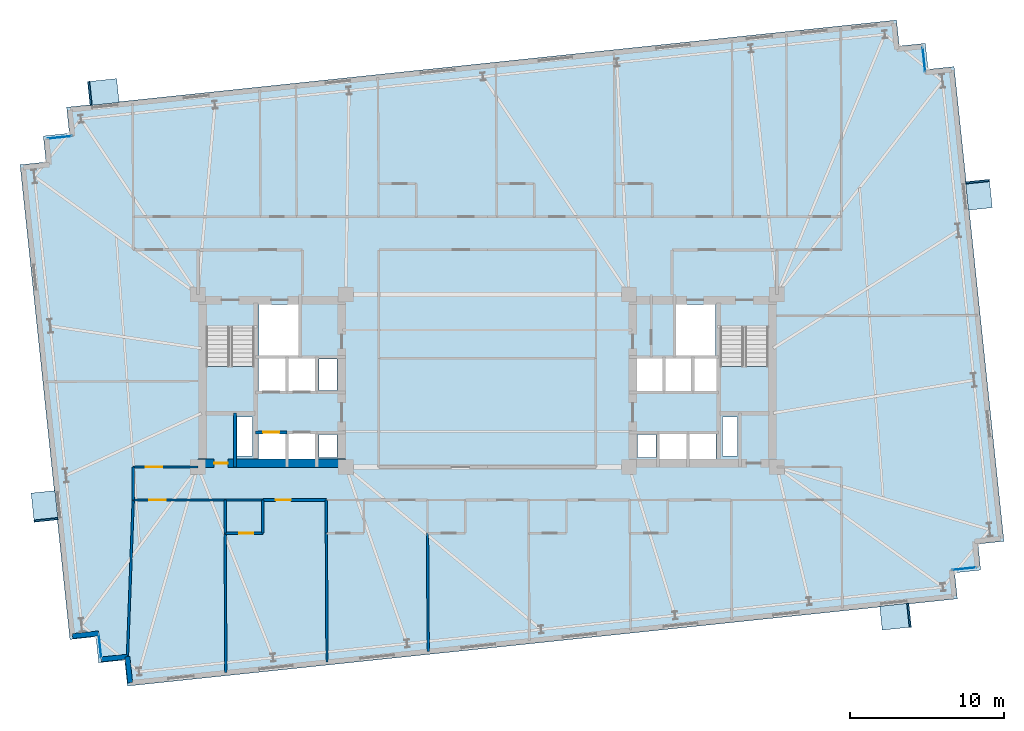
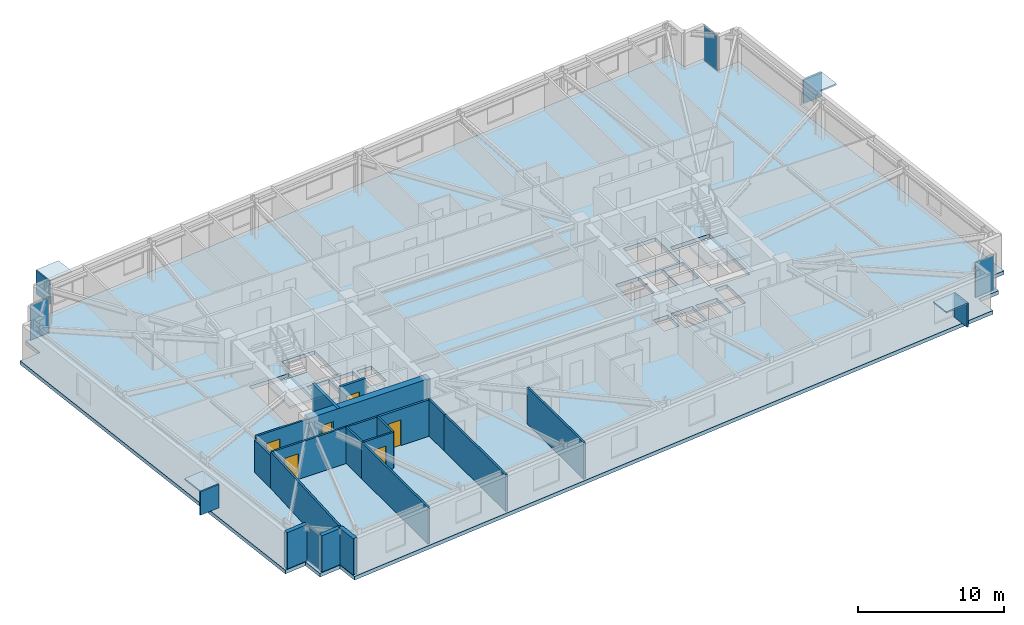
# One storey, part 11 of 18: 19 walls, 12 plates, 6 doors, 3 slabs, 6 openings, 6 elements without a shape of their own.
"""IFC4 building model written with IfcOpenShell, lengths in metres."""

from ifc_helpers import new_model, si_unit, direction, frame, frame_2d, origin, origin_2d, place, context, subcontext, project, spatial, polyline, rectangle, outline, extrude, material, layer, layer_set, type_object, element, fill, aggregate, save


model = new_model("IFC4")

# Units and contexts
model_context = context("Model", 3, precision=1e-05, world=origin(), true_north=direction((0.0, 1.0)))
body_context = subcontext(model_context, "Body", "Model", "MODEL_VIEW")
ifc_project = project(units=[si_unit("LENGTHUNIT", "METRE"), si_unit("AREAUNIT", "SQUARE_METRE"), si_unit("VOLUMEUNIT", "CUBIC_METRE"), si_unit("PLANEANGLEUNIT", "RADIAN"), si_unit("MASSUNIT", "GRAM", prefix="KILO")], contexts=[model_context])

# Site, building, storey
site_placement = place(None, origin())
site = spatial("IfcSite", under=ifc_project, at=site_placement, CompositionType="ELEMENT")
building_placement = place(site_placement, origin())
building = spatial("IfcBuilding", under=site, at=building_placement, Name="Qobustan Lattice House", CompositionType="ELEMENT")
storey_placement = place(building_placement, frame((0.0, 0.0, 119.199951171875)))
storey = spatial("IfcBuildingStorey", under=building, at=storey_placement, Name="L33", CompositionType="ELEMENT", Elevation=119.199951171875)

# Curtain wall, plate
ifc_material_1 = material(Name="Anodised aluminium and low-E glazing", Category="aluminium")
ifc_layer_1 = layer(ifc_material_1, 0.219970703125)
ifc_layer_set_1 = layer_set([ifc_layer_1], Name="Anodised aluminium and low-E glazing")
curtain_wall_type = type_object("IfcCurtainWallType", Name="CW-FAC-01", PredefinedType="USERDEFINED", material=ifc_layer_set_1)
curtain_wall_1_placement = place(storey_placement, origin())
curtain_wall_1 = element("IfcCurtainWall", 1, at=curtain_wall_1_placement, inside=storey, type_object=curtain_wall_type, Name="L33 serrated corner faceted glazing 3", ObjectType="CURTAIN WALL", PredefinedType="USERDEFINED")
ifc_material_2 = material(Name="Clear low-E laminated glass", Category="glass")
ifc_layer_2 = layer(ifc_material_2, 0.031982421875)
ifc_layer_set_2 = layer_set([ifc_layer_2], Name="Clear low-E laminated glass")
plate_type_1 = type_object("IfcPlateType", Name="CWP-VISION-32", PredefinedType="CURTAIN_PANEL", material=ifc_layer_set_2)
plate_1_placement = place(storey_placement, frame((-25.155029296875, -17.2509765625, 0.06494140625), z_axis=(0.0, 0.0, 1.0), x_axis=(-0.104528620025, 0.994521878892, 0.0)))
plate_1 = element("IfcPlate", 2, at=plate_1_placement, type_object=plate_type_1, Name="CW-F1 panel 1.1", PredefinedType="CURTAIN_PANEL", context=body_context, shape_type="SweptSolid", body=[
    extrude(rectangle(XDim=1.56005859375, YDim=0.031982421875, at=origin_2d()), origin(), (0.0, 0.0, 1.0), 2.9150390625),
])
aggregate(curtain_wall_1, [plate_1])

curtain_wall_2_placement = place(storey_placement, origin())
curtain_wall_2 = element("IfcCurtainWall", 3, at=curtain_wall_2_placement, inside=storey, type_object=curtain_wall_type, Name="L33 serrated corner faceted glazing 8", ObjectType="CURTAIN WALL", PredefinedType="USERDEFINED")
plate_2_placement = place(storey_placement, frame((-27.77490234375, 15.80615234375, 0.06494140625), z_axis=(0.0, 0.0, 1.0), x_axis=(0.994521878892, 0.104528620025, 0.0)))
plate_2 = element("IfcPlate", 4, at=plate_2_placement, type_object=plate_type_1, Name="CW-F1 panel 1.1", PredefinedType="CURTAIN_PANEL", context=body_context, shape_type="SweptSolid", body=[
    extrude(rectangle(XDim=1.56005859375, YDim=0.031982421875, at=origin_2d()), origin(), (0.0, 0.0, 1.0), 2.9150390625),
])
aggregate(curtain_wall_2, [plate_2])

curtain_wall_3_placement = place(storey_placement, origin())
curtain_wall_3 = element("IfcCurtainWall", 5, at=curtain_wall_3_placement, inside=storey, type_object=curtain_wall_type, Name="L33 serrated corner faceted glazing 13", ObjectType="CURTAIN WALL", PredefinedType="USERDEFINED")
plate_3_placement = place(storey_placement, frame((28.355224609375, 20.85107421875, 0.06494140625), z_axis=(0.0, 0.0, 1.0), x_axis=(0.104528620025, -0.994521878892, 0.0)))
plate_3 = element("IfcPlate", 6, at=plate_3_placement, type_object=plate_type_1, Name="CW-F1 panel 1.1", PredefinedType="CURTAIN_PANEL", context=body_context, shape_type="SweptSolid", body=[
    extrude(rectangle(XDim=1.56005859375, YDim=0.031982421875, at=origin_2d()), origin(), (0.0, 0.0, 1.0), 2.9150390625),
])
aggregate(curtain_wall_3, [plate_3])

curtain_wall_4_placement = place(storey_placement, origin())
curtain_wall_4 = element("IfcCurtainWall", 7, at=curtain_wall_4_placement, inside=storey, type_object=curtain_wall_type, Name="L33 serrated corner faceted glazing 18", ObjectType="CURTAIN WALL", PredefinedType="USERDEFINED")
plate_4_placement = place(storey_placement, frame((30.974853515625, -12.206298828125, 0.06494140625), z_axis=(0.0, 0.0, 1.0), x_axis=(-0.994521878892, -0.104528620025, 0.0)))
plate_4 = element("IfcPlate", 8, at=plate_4_placement, type_object=plate_type_1, Name="CW-F1 panel 1.1", PredefinedType="CURTAIN_PANEL", context=body_context, shape_type="SweptSolid", body=[
    extrude(rectangle(XDim=1.56005859375, YDim=0.031982421875, at=origin_2d()), origin(), (0.0, 0.0, 1.0), 2.9150390625),
])
aggregate(curtain_wall_4, [plate_4])

# Plates
ifc_material_3 = material(Name="Qobustan limestone GFRC", Category="masonry")
ifc_layer_3 = layer(ifc_material_3, 0.1201171875)
ifc_layer_set_3 = layer_set([ifc_layer_3], Name="Qobustan limestone GFRC")
plate_type_2 = type_object("IfcPlateType", Name="SHD-HOOD-BROW", PredefinedType="USERDEFINED", material=ifc_layer_set_3)
plate_5_placement = place(storey_placement, frame((-28.755615234375, -8.156494140625, 2.699951171875), z_axis=(0.0, 0.0, 1.0), x_axis=(-0.104528463268, 0.994521895368, 0.0)))
element("IfcPlate", 9, at=plate_5_placement, inside=storey, type_object=plate_type_2, Name="L33 splayed Qobustan stone hood brow", ObjectType="SUNSHADE", PredefinedType="USERDEFINED", context=body_context, shape_type="SweptSolid", body=[
    extrude(rectangle(XDim=1.889892578125, YDim=1.56005859375, at=origin_2d()), origin(), (0.0, 0.0, 1.0), 0.1201171875),
])
plate_6_placement = place(storey_placement, frame((-28.6630859375, -9.03662109375, 0.7900390625), z_axis=(0.0, 0.0, 1.0), x_axis=(-0.104528463268, 0.994521895368, 0.0)))
element("IfcPlate", 10, at=plate_6_placement, inside=storey, type_object=plate_type_2, Name="L33 splayed Qobustan stone hood cheek", ObjectType="SUNSHADE", PredefinedType="USERDEFINED", context=body_context, shape_type="SweptSolid", body=[
    extrude(rectangle(XDim=0.1201171875, YDim=1.56005859375, at=origin_2d()), origin(), (0.0, 0.0, 1.0), 1.969970703125),
])
plate_7_placement = place(storey_placement, frame((-24.935302734375, 18.7490234375, 2.699951171875), z_axis=(0.0, 0.0, 1.0), x_axis=(0.994521895368, 0.104528463268, 0.0)))
element("IfcPlate", 11, at=plate_7_placement, inside=storey, type_object=plate_type_2, Name="L33 splayed Qobustan stone hood brow", ObjectType="SUNSHADE", PredefinedType="USERDEFINED", context=body_context, shape_type="SweptSolid", body=[
    extrude(rectangle(XDim=1.889892578125, YDim=1.56005859375, at=origin_2d()), origin(), (0.0, 0.0, 1.0), 0.1201171875),
])
plate_8_placement = place(storey_placement, frame((-25.8154296875, 18.656494140625, 0.7900390625), z_axis=(0.0, 0.0, 1.0), x_axis=(0.994521895368, 0.104528463268, 0.0)))
element("IfcPlate", 12, at=plate_8_placement, inside=storey, type_object=plate_type_2, Name="L33 splayed Qobustan stone hood cheek", ObjectType="SUNSHADE", PredefinedType="USERDEFINED", context=body_context, shape_type="SweptSolid", body=[
    extrude(rectangle(XDim=0.1201171875, YDim=1.56005859375, at=origin_2d()), origin(), (0.0, 0.0, 1.0), 1.969970703125),
])
plate_9_placement = place(storey_placement, frame((31.922119140625, 12.074951171875, 2.699951171875), z_axis=(0.0, 0.0, 1.0), x_axis=(0.104528463268, -0.994521895368, 0.0)))
element("IfcPlate", 13, at=plate_9_placement, inside=storey, type_object=plate_type_2, Name="L33 splayed Qobustan stone hood brow", ObjectType="SUNSHADE", PredefinedType="USERDEFINED", context=body_context, shape_type="SweptSolid", body=[
    extrude(rectangle(XDim=1.840087890625, YDim=1.56005859375, at=origin_2d()), origin(), (0.0, 0.0, 1.0), 0.1201171875),
])
plate_10_placement = place(storey_placement, frame((31.832275390625, 12.930419921875, 0.7900390625), z_axis=(0.0, 0.0, 1.0), x_axis=(0.104528463268, -0.994521895368, 0.0)))
element("IfcPlate", 14, at=plate_10_placement, inside=storey, type_object=plate_type_2, Name="L33 splayed Qobustan stone hood cheek", ObjectType="SUNSHADE", PredefinedType="USERDEFINED", context=body_context, shape_type="SweptSolid", body=[
    extrude(rectangle(XDim=0.1201171875, YDim=1.56005859375, at=origin_2d()), origin(), (0.0, 0.0, 1.0), 1.969970703125),
])
plate_11_placement = place(storey_placement, frame((26.503173828125, -15.32080078125, 2.699951171875), z_axis=(0.0, 0.0, 1.0), x_axis=(-0.994521895368, -0.104528463268, 0.0)))
element("IfcPlate", 15, at=plate_11_placement, inside=storey, type_object=plate_type_2, Name="L33 splayed Qobustan stone hood brow", ObjectType="SUNSHADE", PredefinedType="USERDEFINED", context=body_context, shape_type="SweptSolid", body=[
    extrude(rectangle(XDim=1.889892578125, YDim=1.56005859375, at=origin_2d()), origin(), (0.0, 0.0, 1.0), 0.1201171875),
])
plate_12_placement = place(storey_placement, frame((27.38330078125, -15.228271484375, 0.7900390625), z_axis=(0.0, 0.0, 1.0), x_axis=(-0.994521895368, -0.104528463268, 0.0)))
element("IfcPlate", 16, at=plate_12_placement, inside=storey, type_object=plate_type_2, Name="L33 splayed Qobustan stone hood cheek", ObjectType="SUNSHADE", PredefinedType="USERDEFINED", context=body_context, shape_type="SweptSolid", body=[
    extrude(rectangle(XDim=0.1201171875, YDim=1.56005859375, at=origin_2d()), origin(), (0.0, 0.0, 1.0), 1.969970703125),
])

# Slab
ifc_material_4 = material(Name="Concrete C40/50", Category="concrete")
ifc_layer_4 = layer(ifc_material_4, 0.304931640625)
ifc_layer_set_4 = layer_set([ifc_layer_4], Name="Concrete C40/50")
slab_type_1 = type_object("IfcSlabType", Name="SLB-FLR-305", PredefinedType="FLOOR", material=ifc_layer_set_4)
slab_1_placement = place(storey_placement, frame((0.0, 0.0, -0.304931640625)))
element("IfcSlab", 17, at=slab_1_placement, inside=storey, type_object=slab_type_1, Name="L33 structural floor slab", PredefinedType="FLOOR", context=body_context, shape_type="SweptSolid", body=[
    extrude(outline(polyline([(-23.3759765625, -19.8291015625), (30.527099609375, -14.163818359375), (30.349365234375, -12.47314453125), (32.0400390625, -12.29541015625), (31.8623046875, -10.604736328125), (33.552978515625, -10.427001953125), (30.312744140625, 20.4033203125), (28.6220703125, 20.2255859375), (28.4443359375, 21.916259765625), (26.753662109375, 21.738525390625), (26.575927734375, 23.42919921875), (-27.3271484375, 17.763671875), (-27.1494140625, 16.072998046875), (-28.840087890625, 15.8955078125), (-28.662353515625, 14.20458984375), (-30.35302734375, 14.027099609375), (-27.11279296875, -16.80322265625), (-25.422119140625, -16.62548828125), (-25.244384765625, -18.316162109375), (-23.5537109375, -18.138427734375), (-23.3759765625, -19.8291015625)]), holes=[polyline([(-18.25, -2.050048828125), (-18.25, 3.489990234375), (-15.1298828125, 3.489990234375), (-15.1298828125, -2.050048828125), (-18.25, -2.050048828125)]), polyline([(15.1298828125, -2.050048828125), (15.1298828125, 3.489990234375), (18.25, 3.489990234375), (18.25, -2.050048828125), (15.1298828125, -2.050048828125)]), polyline([(-14.820068359375, 1.64990234375), (-14.820068359375, 4.9599609375), (-12.25, 4.9599609375), (-12.25, 1.64990234375), (-14.820068359375, 1.64990234375)]), polyline([(12.25, 1.64990234375), (12.25, 4.9599609375), (14.820068359375, 4.9599609375), (14.820068359375, 1.64990234375), (12.25, 1.64990234375)]), polyline([(-16.260009765625, -4.8798828125), (-16.260009765625, -2.360107421875), (-15.260009765625, -2.360107421875), (-15.260009765625, -4.8798828125), (-16.260009765625, -4.8798828125)]), polyline([(15.260009765625, -4.8798828125), (15.260009765625, -2.360107421875), (16.260009765625, -2.360107421875), (16.260009765625, -4.8798828125), (15.260009765625, -4.8798828125)]), polyline([(-14.85009765625, -5.35009765625), (-14.85009765625, -3.419921875), (-13.1201171875, -3.419921875), (-13.1201171875, -5.35009765625), (-14.85009765625, -5.35009765625)]), polyline([(-12.919921875, -5.35009765625), (-12.919921875, -3.419921875), (-11.179931640625, -3.419921875), (-11.179931640625, -5.35009765625), (-12.919921875, -5.35009765625)]), polyline([(-14.85009765625, -0.679931640625), (-14.85009765625, 1.47998046875), (-13.1201171875, 1.47998046875), (-13.1201171875, -0.679931640625), (-14.85009765625, -0.679931640625)]), polyline([(-12.919921875, -0.679931640625), (-12.919921875, 1.47998046875), (-11.179931640625, 1.47998046875), (-11.179931640625, -0.679931640625), (-12.919921875, -0.679931640625)]), polyline([(-10.93994140625, -5.0), (-10.93994140625, -3.47998046875), (-9.760009765625, -3.47998046875), (-9.760009765625, -5.0), (-10.93994140625, -5.0)]), polyline([(-10.93994140625, -0.6201171875), (-10.93994140625, 1.419921875), (-9.760009765625, 1.419921875), (-9.760009765625, -0.6201171875), (-10.93994140625, -0.6201171875)]), polyline([(11.179931640625, -5.35009765625), (11.179931640625, -3.419921875), (12.919921875, -3.419921875), (12.919921875, -5.35009765625), (11.179931640625, -5.35009765625)]), polyline([(13.1201171875, -5.35009765625), (13.1201171875, -3.419921875), (14.85009765625, -3.419921875), (14.85009765625, -5.35009765625), (13.1201171875, -5.35009765625)]), polyline([(9.760009765625, -5.0), (9.760009765625, -3.47998046875), (10.93994140625, -3.47998046875), (10.93994140625, -5.0), (9.760009765625, -5.0)]), polyline([(13.360107421875, -0.679931640625), (13.360107421875, 1.47998046875), (14.97998046875, 1.47998046875), (14.97998046875, -0.679931640625), (13.360107421875, -0.679931640625)]), polyline([(9.6201171875, -0.679931640625), (9.6201171875, 1.47998046875), (11.43994140625, 1.47998046875), (11.43994140625, -0.679931640625), (9.6201171875, -0.679931640625)]), polyline([(11.5, -0.679931640625), (11.5, 1.47998046875), (13.320068359375, 1.47998046875), (13.320068359375, -0.679931640625), (11.5, -0.679931640625)])]), origin(), (0.0, 0.0, 1.0), 0.304931640625),
])

# Stair, slab
ifc_material_5 = material(Name="Concrete C40/50", Category="concrete")
stair_type = type_object("IfcStairType", Name="STR-CORE-DOGLEG", PredefinedType="HALF_TURN_STAIR", material=ifc_material_5)
stair_1_placement = place(storey_placement, origin())
stair_1 = element("IfcStair", 18, at=stair_1_placement, inside=storey, type_object=stair_type, Name="L33 West protected exit stair ST-W1", PredefinedType="HALF_TURN_STAIR")
ifc_material_6 = material(Name="Concrete C40/50", Category="concrete")
ifc_layer_5 = layer(ifc_material_6, 0.199951171875)
ifc_layer_set_5 = layer_set([ifc_layer_5], Name="Concrete C40/50")
slab_type_2 = type_object("IfcSlabType", Name="SLB-LANDING-200", PredefinedType="LANDING", material=ifc_layer_set_5)
slab_2_placement = place(storey_placement, frame((0.0, 0.0, 1.47509765625)))
slab_2 = element("IfcSlab", 19, at=slab_2_placement, type_object=slab_type_2, Name="ST-W1 landing 1", PredefinedType="LANDING", context=body_context, shape_type="SweptSolid", body=[
    extrude(outline(polyline([(-18.25, 0.93505859375), (-18.25, -2.050048828125), (-15.1298828125, -2.050048828125), (-15.1298828125, 0.93505859375), (-18.25, 0.93505859375)])), origin(), (0.0, 0.0, 1.0), 0.199951171875),
])
aggregate(stair_1, [slab_2])

stair_2_placement = place(storey_placement, origin())
stair_2 = element("IfcStair", 20, at=stair_2_placement, inside=storey, type_object=stair_type, Name="L33 East protected exit stair ST-E1", PredefinedType="HALF_TURN_STAIR")
slab_3_placement = place(storey_placement, frame((0.0, 0.0, 1.47509765625)))
slab_3 = element("IfcSlab", 21, at=slab_3_placement, type_object=slab_type_2, Name="ST-E1 landing 1", PredefinedType="LANDING", context=body_context, shape_type="SweptSolid", body=[
    extrude(outline(polyline([(15.1298828125, 0.93505859375), (15.1298828125, -2.050048828125), (18.25, -2.050048828125), (18.25, 0.93505859375), (15.1298828125, 0.93505859375)])), origin(), (0.0, 0.0, 1.0), 0.199951171875),
])
aggregate(stair_2, [slab_3])

# Wall, opening, door
ifc_material_7 = material(Name="Concrete C60/75", Category="concrete")
ifc_layer_6 = layer(ifc_material_7, 0.56005859375)
ifc_layer_set_6 = layer_set([ifc_layer_6], Name="Concrete C60/75")
wall_type_1 = type_object("IfcWallType", Name="WAL-CORE-600", PredefinedType="SHEAR", material=ifc_layer_set_6)
wall_1_placement = place(storey_placement, frame((-18.800048828125, -5.35009765625, 0.0), z_axis=(0.0, 0.0, 1.0), x_axis=(1.0, 0.0, 0.0)))
wall_1 = element("IfcWall", 22, at=wall_1_placement, inside=storey, type_object=wall_type_1, Name="L33 split-core shear wall CW-S", PredefinedType="SHEAR", context=body_context, shape_type="SweptSolid", body=[
    extrude(rectangle(XDim=9.60009765625, YDim=0.56005859375, at=frame_2d((4.800048828125, 0.0))), origin(), (0.0, 0.0, 1.0), 3.045166015625),
])
opening_1_placement = place(wall_1_placement, frame((1.050048828125, 0.0, 0.0)))
opening_1 = element("IfcOpeningElement", 23, at=opening_1_placement, cuts=wall_1, Name="Opening RD-01", PredefinedType="OPENING", context=body_context, shape_type="SweptSolid", body=[
    extrude(rectangle(XDim=0.89990234375, YDim=2.10009765625, at=frame_2d((0.449951171875, 1.050048828125))), frame((0.0, 0.2900390625, 0.0), z_axis=(0.0, -1.0, 0.0), x_axis=(1.0, 0.0, 0.0)), (0.0, 0.0, 1.0), 0.580078125),
])
ifc_material_8 = material(Name="Persian walnut timber and steel frame door", Category="steel")
door_type_1 = type_object("IfcDoorType", Name="DOR-RISER-FD-900x2100", OperationType="NOTDEFINED", PredefinedType="DOOR", material=ifc_material_8)
door_1_placement = place(opening_1_placement, origin())
door_1 = element("IfcDoor", 24, at=door_1_placement, inside=storey, type_object=door_type_1, Name="L33 core service riser access door W", OperationType="SINGLE_SWING_RIGHT", OverallHeight=2.10009765625, OverallWidth=0.89990234375, PredefinedType="DOOR", context=body_context, shape_type="SweptSolid", body=[
    extrude(rectangle(XDim=0.89990234375, YDim=2.10009765625, at=frame_2d((0.449951171875, 1.050048828125))), frame((0.0, 0.02490234375, 0.0), z_axis=(0.0, -1.0, 0.0), x_axis=(1.0, 0.0, 0.0)), (0.0, 0.0, 1.0), 0.050048828125),
])
fill(opening_1, door_1)

# Walls
ifc_material_9 = material(Name="Precast concrete C40/50", Category="concrete")
ifc_layer_7 = layer(ifc_material_9, 0.320068359375)
ifc_layer_set_7 = layer_set([ifc_layer_7], Name="Precast concrete C40/50")
wall_type_2 = type_object("IfcWallType", Name="WAL-EXT-STONE-320", PredefinedType="SOLIDWALL", material=ifc_layer_set_7)
for number, where, z_axis, x_axis, name in (
    (25, (-23.197998046875, -19.609375, 0.0), (0.0, 0.0, 1.0), (-0.104550220202, 0.994519608382, 0.0), "L33 exterior limestone-clad wall 1"),
    (26, (-23.375732421875, -17.918701171875, 0.0), (0.0, 0.0, 1.0), (-0.994519608382, -0.104550220202, 0.0), "L33 exterior limestone-clad wall 2"),
):
    element("IfcWall", number, at=place(storey_placement, frame(where, z_axis=z_axis, x_axis=x_axis)), inside=storey, type_object=wall_type_2, Name=name, PredefinedType="SOLIDWALL", context=body_context, shape_type="SweptSolid", body=[
        extrude(rectangle(XDim=1.699951171875, YDim=0.320068359375, at=frame_2d((0.85009765625, 0.0))), origin(), (0.0, 0.0, 1.0), 3.045166015625),
    ])
wall_2_placement = place(storey_placement, frame((-25.243896484375, -16.40576171875, 0.0), z_axis=(0.0, 0.0, 1.0), x_axis=(-0.994521177842, -0.104535289845, 0.0)))
element("IfcWall", 27, at=wall_2_placement, inside=storey, type_object=wall_type_2, Name="L33 exterior limestone-clad wall 4", PredefinedType="SOLIDWALL", context=body_context, shape_type="SweptSolid", body=[
    extrude(rectangle(XDim=1.7001953125, YDim=0.320068359375, at=frame_2d((0.85009765625, 0.0))), origin(), (0.0, 0.0, 1.0), 3.045166015625),
])

# Wall, opening, door
ifc_material_10 = material(Name="Gypsum fireboard acoustic partition", Category="gypsum")
ifc_layer_8 = layer(ifc_material_10, 0.179931640625)
ifc_layer_set_8 = layer_set([ifc_layer_8], Name="Gypsum fireboard acoustic partition")
wall_type_3 = type_object("IfcWallType", Name="WAL-FIRE-180", PredefinedType="PARTITIONING", material=ifc_layer_set_8)
wall_3_placement = place(storey_placement, frame((-10.45703125, -7.75, 0.0), z_axis=(0.0, 0.0, 1.0), x_axis=(-1.0, 0.0, 0.0)))
wall_3 = element("IfcWall", 28, at=wall_3_placement, inside=storey, type_object=wall_type_3, Name="L33 interior partition 57", PredefinedType="PARTITIONING", context=body_context, shape_type="SweptSolid", body=[
    extrude(rectangle(XDim=4.1220703125, YDim=0.179931640625, at=frame_2d((2.06103515625, 0.0))), origin(), (0.0, 0.0, 1.0), 3.045166015625),
])
opening_2_placement = place(wall_3_placement, frame((2.296630859375, 0.0, 0.0)))
opening_2 = element("IfcOpeningElement", 29, at=opening_2_placement, cuts=wall_3, Name="Opening FD-02", PredefinedType="OPENING", context=body_context, shape_type="SweptSolid", body=[
    extrude(rectangle(XDim=1.0, YDim=2.14990234375, at=frame_2d((0.5, 1.074951171875))), frame((0.0, 0.099853515625, 0.0), z_axis=(0.0, -1.0, 0.0), x_axis=(1.0, 0.0, 0.0)), (0.0, 0.0, 1.0), 0.199951171875),
])
ifc_material_11 = material(Name="Persian walnut timber and steel frame door", Category="steel")
door_type_2 = type_object("IfcDoorType", Name="DOR-UNIT-FD-1000x2150", OperationType="NOTDEFINED", PredefinedType="DOOR", material=ifc_material_11)
door_2_placement = place(opening_2_placement, origin())
door_2 = element("IfcDoor", 30, at=door_2_placement, inside=storey, type_object=door_type_2, Name="L33 South-west floor corridor to Kitchenette and studio apartment L33-S2 door", OperationType="SINGLE_SWING_RIGHT", OverallHeight=2.14990234375, OverallWidth=1.0, PredefinedType="DOOR", context=body_context, shape_type="SweptSolid", body=[
    extrude(rectangle(XDim=1.0, YDim=2.14990234375, at=frame_2d((0.5, 1.074951171875))), frame((0.0, 0.02490234375, 0.0), z_axis=(0.0, -1.0, 0.0), x_axis=(1.0, 0.0, 0.0)), (0.0, 0.0, 1.0), 0.050048828125),
])
fill(opening_2, door_2)

ifc_material_12 = material(Name="Acoustic twin-stud gypsum partition", Category="gypsum")
ifc_layer_9 = layer(ifc_material_12, 0.14990234375)
ifc_layer_set_9 = layer_set([ifc_layer_9], Name="Acoustic twin-stud gypsum partition")
wall_type_4 = type_object("IfcWallType", Name="WAL-PART-150", PredefinedType="PARTITIONING", material=ifc_layer_set_9)
wall_4_placement = place(storey_placement, frame((-23.0, -5.60009765625, 0.0), z_axis=(0.0, 0.0, 1.0), x_axis=(1.0, 0.0, 0.0)))
wall_4 = element("IfcWall", 31, at=wall_4_placement, inside=storey, type_object=wall_type_4, Name="L33 interior partition 54", PredefinedType="PARTITIONING", context=body_context, shape_type="SweptSolid", body=[
    extrude(rectangle(XDim=4.199951171875, YDim=0.14990234375, at=frame_2d((2.10009765625, 0.0))), origin(), (0.0, 0.0, 1.0), 3.045166015625),
])
opening_3_placement = place(wall_4_placement, frame((0.82861328125, 0.0, 0.0)))
opening_3 = element("IfcOpeningElement", 32, at=opening_3_placement, cuts=wall_4, Name="Opening ID-02", PredefinedType="OPENING", context=body_context, shape_type="SweptSolid", body=[
    extrude(rectangle(XDim=1.050048828125, YDim=2.14990234375, at=frame_2d((0.52490234375, 1.074951171875))), frame((0.0, 0.0849609375, 0.0), z_axis=(0.0, -1.0, 0.0), x_axis=(1.0, 0.0, 0.0)), (0.0, 0.0, 1.0), 0.169921875),
])
ifc_material_13 = material(Name="Persian walnut timber and steel frame door", Category="steel")
door_type_3 = type_object("IfcDoorType", Name="DOR-STUDY-1050x2150", OperationType="NOTDEFINED", PredefinedType="DOOR", material=ifc_material_13)
door_3_placement = place(opening_3_placement, origin())
door_3 = element("IfcDoor", 33, at=door_3_placement, inside=storey, type_object=door_type_3, Name="L33 South-west floor corridor to Fellows reading room door", OperationType="SINGLE_SWING_RIGHT", OverallHeight=2.14990234375, OverallWidth=1.050048828125, PredefinedType="DOOR", context=body_context, shape_type="SweptSolid", body=[
    extrude(rectangle(XDim=1.050048828125, YDim=2.14990234375, at=frame_2d((0.52490234375, 1.074951171875))), frame((0.0, 0.02490234375, 0.0), z_axis=(0.0, -1.0, 0.0), x_axis=(1.0, 0.0, 0.0)), (0.0, 0.0, 1.0), 0.050048828125),
])
fill(opening_3, door_3)

# Wall
wall_5_placement = place(storey_placement, frame((-23.0, -7.75, 0.0), z_axis=(0.0, 0.0, 1.0), x_axis=(0.0, 1.0, 0.0)))
element("IfcWall", 34, at=wall_5_placement, inside=storey, type_object=wall_type_4, Name="L33 interior partition 55", PredefinedType="PARTITIONING", context=body_context, shape_type="SweptSolid", body=[
    extrude(rectangle(XDim=2.14990234375, YDim=0.14990234375, at=frame_2d((1.074951171875, 0.0))), origin(), (0.0, 0.0, 1.0), 2.699951171875),
])

# Wall, opening, door
wall_6_placement = place(storey_placement, frame((-17.029052734375, -7.75, 0.0), z_axis=(0.0, 0.0, 1.0), x_axis=(-1.0, 0.0, 0.0)))
wall_6 = element("IfcWall", 35, at=wall_6_placement, inside=storey, type_object=wall_type_4, Name="L33 interior partition 56", PredefinedType="PARTITIONING", context=body_context, shape_type="SweptSolid", body=[
    extrude(rectangle(XDim=5.970947265625, YDim=0.14990234375, at=frame_2d((2.9853515625, 0.0))), origin(), (0.0, 0.0, 1.0), 3.045166015625),
])
opening_4_placement = place(wall_6_placement, frame((3.870849609375, 0.0, 0.0)))
opening_4 = element("IfcOpeningElement", 36, at=opening_4_placement, cuts=wall_6, Name="Opening ID-02", PredefinedType="OPENING", context=body_context, shape_type="SweptSolid", body=[
    extrude(rectangle(XDim=1.050048828125, YDim=2.14990234375, at=frame_2d((0.52490234375, 1.074951171875))), frame((0.0, 0.0849609375, 0.0), z_axis=(0.0, -1.0, 0.0), x_axis=(1.0, 0.0, 0.0)), (0.0, 0.0, 1.0), 0.169921875),
])
door_4_placement = place(opening_4_placement, origin())
door_4 = element("IfcDoor", 37, at=door_4_placement, inside=storey, type_object=door_type_3, Name="L33 South-west floor corridor to Focus study room S1 door", OperationType="SINGLE_SWING_LEFT", OverallHeight=2.14990234375, OverallWidth=1.050048828125, PredefinedType="DOOR", context=body_context, shape_type="SweptSolid", body=[
    extrude(rectangle(XDim=1.050048828125, YDim=2.14990234375, at=frame_2d((0.52490234375, 1.074951171875))), frame((0.0, 0.02490234375, 0.0), z_axis=(0.0, -1.0, 0.0), x_axis=(1.0, 0.0, 0.0)), (0.0, 0.0, 1.0), 0.050048828125),
])
fill(opening_4, door_4)

# Walls
wall_7_placement = place(storey_placement, frame((-23.0, -7.75, 0.0), z_axis=(0.0, 0.0, 1.0), x_axis=(-0.036924695214, -0.999318050914, 0.0)))
element("IfcWall", 38, at=wall_7_placement, inside=storey, type_object=wall_type_4, Name="L33 interior partition 78", PredefinedType="PARTITIONING", context=body_context, shape_type="SweptSolid", body=[
    extrude(rectangle(XDim=10.175537109375, YDim=0.14990234375, at=frame_2d((5.087890625, 0.0))), origin(), (0.0, 0.0, 1.0), 3.045166015625),
])
wall_8_placement = place(storey_placement, frame((-17.029052734375, -9.89990234375, 0.0), z_axis=(0.0, 0.0, 1.0), x_axis=(0.004852348859, -0.999988227286, 0.0)))
element("IfcWall", 39, at=wall_8_placement, inside=storey, type_object=wall_type_4, Name="L33 interior partition 99", PredefinedType="PARTITIONING", context=body_context, shape_type="SweptSolid", body=[
    extrude(rectangle(XDim=9.056396484375, YDim=0.14990234375, at=frame_2d((4.5283203125, 0.0))), origin(), (0.0, 0.0, 1.0), 3.045166015625),
])
wall_9_placement = place(storey_placement, frame((-10.45703125, -9.89990234375, 0.0), z_axis=(0.0, 0.0, 1.0), x_axis=(0.005252948012, -0.999986203173, 0.0)))
element("IfcWall", 40, at=wall_9_placement, inside=storey, type_object=wall_type_4, Name="L33 interior partition 103", PredefinedType="PARTITIONING", context=body_context, shape_type="SweptSolid", body=[
    extrude(rectangle(XDim=8.36572265625, YDim=0.14990234375, at=frame_2d((4.182861328125, 0.0))), origin(), (0.0, 0.0, 1.0), 3.045166015625),
])
wall_10_placement = place(storey_placement, frame((-3.885986328125, -9.89990234375, 0.0), z_axis=(0.0, 0.0, 1.0), x_axis=(0.005725643334, -0.99998360837, 0.0)))
element("IfcWall", 41, at=wall_10_placement, inside=storey, type_object=wall_type_4, Name="L33 interior partition 107", PredefinedType="PARTITIONING", context=body_context, shape_type="SweptSolid", body=[
    extrude(rectangle(XDim=7.67529296875, YDim=0.14990234375, at=frame_2d((3.837646484375, 0.0))), origin(), (0.0, 0.0, 1.0), 3.045166015625),
])
ifc_material_14 = material(Name="Concrete C40/50", Category="concrete")
ifc_layer_10 = layer(ifc_material_14, 0.199951171875)
ifc_layer_set_10 = layer_set([ifc_layer_10], Name="Concrete C40/50")
wall_type_5 = type_object("IfcWallType", Name="WAL-SHAFT-200", PredefinedType="PARTITIONING", material=ifc_layer_set_10)
wall_11_placement = place(storey_placement, frame((-16.39990234375, -5.60009765625, 0.0), z_axis=(0.0, 0.0, 1.0), x_axis=(0.0, 1.0, 0.0)))
element("IfcWall", 42, at=wall_11_placement, inside=storey, type_object=wall_type_5, Name="L33 interior partition 1", PredefinedType="PARTITIONING", context=body_context, shape_type="SweptSolid", body=[
    extrude(rectangle(XDim=3.489990234375, YDim=0.199951171875, at=frame_2d((1.7451171875, 0.0))), origin(), (0.0, 0.0, 1.0), 3.045166015625),
])

# Wall, opening, door
wall_12_placement = place(storey_placement, frame((-15.050048828125, -3.35009765625, 0.0), z_axis=(0.0, 0.0, 1.0), x_axis=(1.0, 0.0, 0.0)))
wall_12 = element("IfcWall", 43, at=wall_12_placement, inside=storey, type_object=wall_type_5, Name="L33 interior partition 7", PredefinedType="PARTITIONING", context=body_context, shape_type="SweptSolid", body=[
    extrude(rectangle(XDim=2.030029296875, YDim=0.199951171875, at=frame_2d((1.01513671875, 0.0))), origin(), (0.0, 0.0, 1.0), 3.045166015625),
])
opening_5_placement = place(wall_12_placement, frame((0.489990234375, 0.0, 0.0)))
opening_5 = element("IfcOpeningElement", 44, at=opening_5_placement, cuts=wall_12, Name="Opening LD-01", PredefinedType="OPENING", context=body_context, shape_type="SweptSolid", body=[
    extrude(rectangle(XDim=1.050048828125, YDim=2.10009765625, at=frame_2d((0.52490234375, 1.050048828125))), frame((0.0, 0.10986328125, 0.0), z_axis=(0.0, -1.0, 0.0), x_axis=(1.0, 0.0, 0.0)), (0.0, 0.0, 1.0), 0.219970703125),
])
ifc_material_15 = material(Name="Persian walnut timber and steel frame door", Category="steel")
door_type_4 = type_object("IfcDoorType", Name="DOR-LIFT-LD-1050x2100", OperationType="NOTDEFINED", PredefinedType="DOOR", material=ifc_material_15)
door_5_placement = place(opening_5_placement, origin())
door_5 = element("IfcDoor", 45, at=door_5_placement, inside=storey, type_object=door_type_4, Name="L33 lift landing door", OperationType="DOUBLE_DOOR_SLIDING", OverallHeight=2.10009765625, OverallWidth=1.050048828125, PredefinedType="DOOR", context=body_context, shape_type="SweptSolid", body=[
    extrude(rectangle(XDim=1.050048828125, YDim=2.10009765625, at=frame_2d((0.52490234375, 1.050048828125))), frame((0.0, 0.02490234375, 0.0), z_axis=(0.0, -1.0, 0.0), x_axis=(1.0, 0.0, 0.0)), (0.0, 0.0, 1.0), 0.050048828125),
])
fill(opening_5, door_5)

# Walls
ifc_material_16 = material(Name="Moisture-resistant acoustic plumbing wall", Category="gypsum")
ifc_layer_11 = layer(ifc_material_16, 0.14990234375)
ifc_layer_set_11 = layer_set([ifc_layer_11], Name="Moisture-resistant acoustic plumbing wall")
wall_type_6 = type_object("IfcWallType", Name="WAL-WET-150", PredefinedType="PLUMBINGWALL", material=ifc_layer_set_11)
wall_13_placement = place(storey_placement, frame((-14.5791015625, -7.75, 0.0), z_axis=(0.0, 0.0, 1.0), x_axis=(-1.0, 0.0, 0.0)))
element("IfcWall", 46, at=wall_13_placement, inside=storey, type_object=wall_type_6, Name="L33 interior partition 58", PredefinedType="PLUMBINGWALL", context=body_context, shape_type="SweptSolid", body=[
    extrude(rectangle(XDim=2.449951171875, YDim=0.14990234375, at=frame_2d((1.22509765625, 0.0))), origin(), (0.0, 0.0, 1.0), 3.045166015625),
])
wall_14_placement = place(storey_placement, frame((-17.029052734375, -7.75, 0.0), z_axis=(0.0, 0.0, 1.0), x_axis=(0.0, -1.0, 0.0)))
element("IfcWall", 47, at=wall_14_placement, inside=storey, type_object=wall_type_6, Name="L33 interior partition 100", PredefinedType="PLUMBINGWALL", context=body_context, shape_type="SweptSolid", body=[
    extrude(rectangle(XDim=2.14990234375, YDim=0.14990234375, at=frame_2d((1.074951171875, 0.0))), origin(), (0.0, 0.0, 1.0), 3.045166015625),
])

# Wall, opening, door
wall_15_placement = place(storey_placement, frame((-17.029052734375, -9.89990234375, 0.0), z_axis=(0.0, 0.0, 1.0), x_axis=(1.0, 0.0, 0.0)))
wall_15 = element("IfcWall", 48, at=wall_15_placement, inside=storey, type_object=wall_type_6, Name="L33 interior partition 101", PredefinedType="PLUMBINGWALL", context=body_context, shape_type="SweptSolid", body=[
    extrude(rectangle(XDim=2.449951171875, YDim=0.14990234375, at=frame_2d((1.22509765625, 0.0))), origin(), (0.0, 0.0, 1.0), 3.045166015625),
])
opening_6_placement = place(wall_15_placement, frame((0.921142578125, 0.0, 0.0)))
opening_6 = element("IfcOpeningElement", 49, at=opening_6_placement, cuts=wall_15, Name="Opening WD-01", PredefinedType="OPENING", context=body_context, shape_type="SweptSolid", body=[
    extrude(rectangle(XDim=0.89990234375, YDim=2.10009765625, at=frame_2d((0.449951171875, 1.050048828125))), frame((0.0, 0.0849609375, 0.0), z_axis=(0.0, -1.0, 0.0), x_axis=(1.0, 0.0, 0.0)), (0.0, 0.0, 1.0), 0.169921875),
])
ifc_material_17 = material(Name="Persian walnut timber and steel frame door", Category="steel")
door_type_5 = type_object("IfcDoorType", Name="DOR-WET-900x2100", OperationType="NOTDEFINED", PredefinedType="DOOR", material=ifc_material_17)
door_6_placement = place(opening_6_placement, origin())
door_6 = element("IfcDoor", 50, at=door_6_placement, inside=storey, type_object=door_type_5, Name="L33 Kitchenette and studio apartment L33-S2 to En-suite bathroom L33-S2 door", OperationType="SINGLE_SWING_LEFT", OverallHeight=2.10009765625, OverallWidth=0.89990234375, PredefinedType="DOOR", context=body_context, shape_type="SweptSolid", body=[
    extrude(rectangle(XDim=0.89990234375, YDim=2.10009765625, at=frame_2d((0.449951171875, 1.050048828125))), frame((0.0, 0.02490234375, 0.0), z_axis=(0.0, -1.0, 0.0), x_axis=(1.0, 0.0, 0.0)), (0.0, 0.0, 1.0), 0.050048828125),
])
fill(opening_6, door_6)

# Walls
for number, where, z_axis, x_axis, name in (
    (51, (-14.5791015625, -9.89990234375, 0.0), (0.0, 0.0, 1.0), (0.0, 1.0, 0.0), "L33 interior partition 102"),
    (52, (-10.45703125, -7.75, 0.0), (0.0, 0.0, 1.0), (0.0, -1.0, 0.0), "L33 interior partition 104"),
):
    element("IfcWall", number, at=place(storey_placement, frame(where, z_axis=z_axis, x_axis=x_axis)), inside=storey, type_object=wall_type_6, Name=name, PredefinedType="PLUMBINGWALL", context=body_context, shape_type="SweptSolid", body=[
        extrude(rectangle(XDim=2.14990234375, YDim=0.14990234375, at=frame_2d((1.074951171875, 0.0))), origin(), (0.0, 0.0, 1.0), 3.045166015625),
    ])

save(model, "model.ifc")
